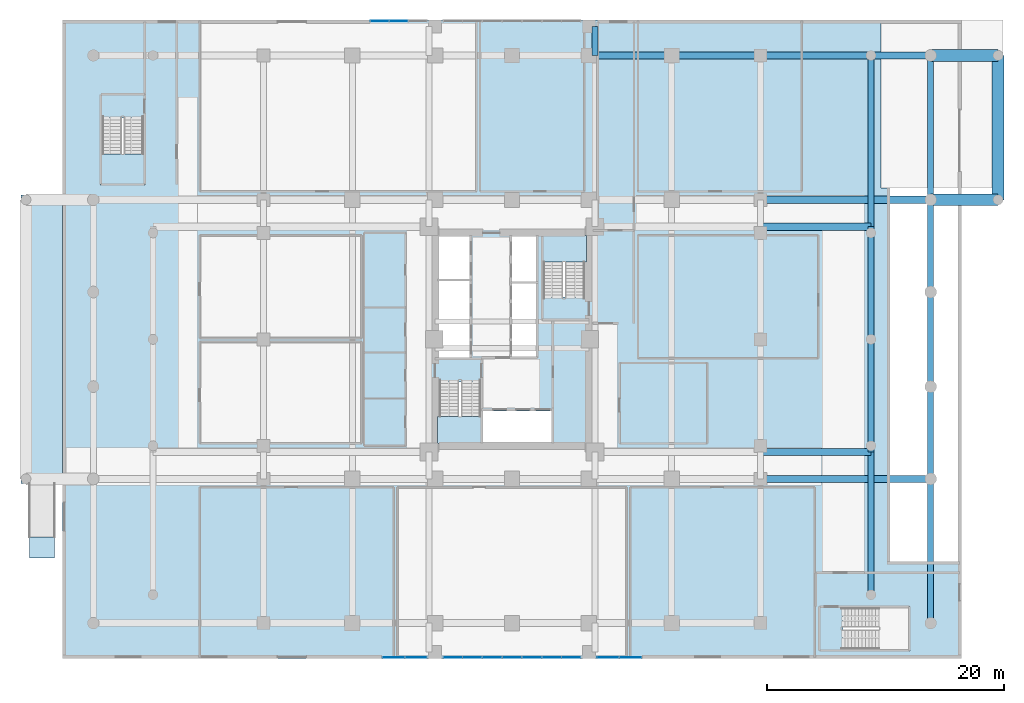
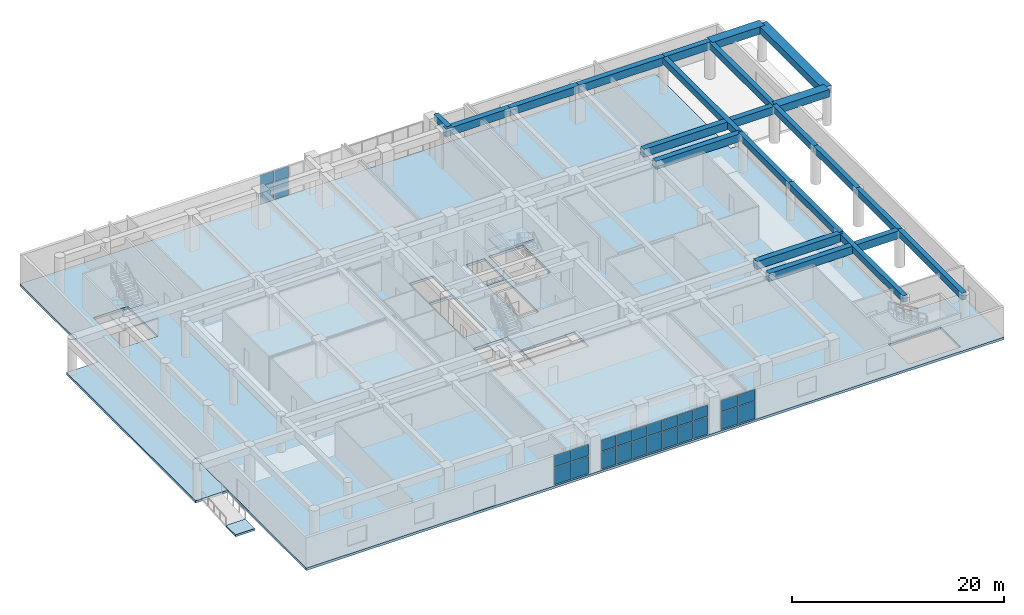
# One storey, part 11 of 24: 26 plates, 21 beams, 6 slabs, 8 elements without a shape of their own.
"""IFC4 building model written with IfcOpenShell, lengths in metres."""

from ifc_helpers import new_model, si_unit, direction, frame, origin, origin_2d, place, context, subcontext, project, spatial, polyline, rectangle, outline, extrude, source, transform, mapped, material, layer, layer_set, material_profile, profile_set, type_object, element, aggregate, save


model = new_model("IFC4")

# Units and contexts
model_context = context("Model", 3, precision=1e-05, world=origin(), true_north=direction((0.0, 1.0)))
body_context = subcontext(model_context, "Body", "Model", "MODEL_VIEW")
ifc_project = project(units=[si_unit("LENGTHUNIT", "METRE"), si_unit("AREAUNIT", "SQUARE_METRE"), si_unit("VOLUMEUNIT", "CUBIC_METRE"), si_unit("PLANEANGLEUNIT", "RADIAN"), si_unit("MASSUNIT", "GRAM", prefix="KILO")], contexts=[model_context])

# Site, building, storey
site_placement = place(None, origin())
site = spatial("IfcSite", under=ifc_project, at=site_placement, CompositionType="ELEMENT")
building_placement = place(site_placement, origin())
building = spatial("IfcBuilding", under=site, at=building_placement, Name="Saelheon Loggia Tower", CompositionType="ELEMENT")
storey_placement = place(building_placement, origin())
storey = spatial("IfcBuildingStorey", under=building, at=storey_placement, Name="L00", CompositionType="ELEMENT", Elevation=0.0)

# Beams
ifc_material_1 = material(Name="Concrete C50/60", Category="concrete")
ifc_material_profile_1 = material_profile(ifc_material_1, rectangle(XDim=0.60009765625, YDim=0.89990234375, at=origin_2d()), Name="RC-600x900")
ifc_profile_set_1 = profile_set([ifc_material_profile_1], Name="Concrete C50/60")
beam_type_1 = type_object("IfcBeamType", Name="Beam_MainGirder_RC600x900", PredefinedType="BEAM", material=ifc_profile_set_1)
shared_shape_1 = source(origin(), body_context, "Body", "SweptSolid", [
    extrude(rectangle(XDim=0.60009765625, YDim=0.89990234375, at=origin_2d()), origin(), (0.0, 0.0, 1.0), 14.39990234375),
])
for number, where, z_axis, x_axis, name in (
    (1, (59.0, 15.199951171875, 3.75), (1.0, 0.0, 0.0), (0.0, 1.0, 0.0), "BM-L00-EW-15-8"),
    (2, (59.0, 38.800048828125, 3.75), (1.0, 0.0, 0.0), (0.0, 1.0, 0.0), "BM-L00-EW-38-8"),
):
    element("IfcBeam", number, at=place(storey_placement, frame(where, z_axis=z_axis, x_axis=x_axis)), inside=storey, type_object=beam_type_1, Name=name, PredefinedType="BEAM", context=body_context, shape_type="MappedRepresentation", body=[
        mapped(shared_shape_1, transform((0.0, 0.0, 0.0), scale=1.0)),
    ])
shared_shape_2 = source(origin(), body_context, "Body", "SweptSolid", [
    extrude(rectangle(XDim=0.60009765625, YDim=0.89990234375, at=origin_2d()), origin(), (0.0, 0.0, 1.0), 7.5),
])
beam_1_placement = place(storey_placement, frame((51.5, 51.0, 3.75), z_axis=(1.0, 0.0, 0.0), x_axis=(0.0, 1.0, 0.0)))
element("IfcBeam", 3, at=beam_1_placement, inside=storey, type_object=beam_type_1, Name="BM-L00-EW-51-8", PredefinedType="BEAM", context=body_context, shape_type="MappedRepresentation", body=[
    mapped(shared_shape_2, transform((0.0, 0.0, 0.0), scale=1.0)),
])
shared_shape_3 = source(origin(), body_context, "Body", "SweptSolid", [
    extrude(rectangle(XDim=0.60009765625, YDim=0.89990234375, at=origin_2d()), origin(), (0.0, 0.0, 1.0), 7.0),
])
beam_2_placement = place(storey_placement, frame((44.5, 51.0, 3.75), z_axis=(1.0, 0.0, 0.0), x_axis=(0.0, 1.0, 0.0)))
element("IfcBeam", 4, at=beam_2_placement, inside=storey, type_object=beam_type_1, Name="BM-L00-EW-51-7", PredefinedType="BEAM", context=body_context, shape_type="MappedRepresentation", body=[
    mapped(shared_shape_3, transform((0.0, 0.0, 0.0), scale=1.0)),
])
shared_shape_4 = source(origin(), body_context, "Body", "SweptSolid", [
    extrude(rectangle(XDim=0.60009765625, YDim=0.89990234375, at=origin_2d()), origin(), (0.0, 0.0, 1.0), 5.0498046875),
])
beam_3_placement = place(storey_placement, frame((68.35009765625, 51.0, 3.75), z_axis=(1.0, 0.0, 0.0), x_axis=(0.0, 1.0, 0.0)))
element("IfcBeam", 5, at=beam_3_placement, inside=storey, type_object=beam_type_1, Name="BM-L00-EW-51-10", PredefinedType="BEAM", context=body_context, shape_type="MappedRepresentation", body=[
    mapped(shared_shape_4, transform((0.0, 0.0, 0.0), scale=1.0)),
])
shared_shape_5 = source(origin(), body_context, "Body", "SweptSolid", [
    extrude(rectangle(XDim=0.60009765625, YDim=0.89990234375, at=origin_2d()), origin(), (0.0, 0.0, 1.0), 9.35009765625),
])
for number, where, z_axis, x_axis, name in (
    (6, (59.0, 51.0, 3.75), (1.0, 0.0, 0.0), (0.0, 1.0, 0.0), "BM-L00-EW-51-9"),
    (7, (59.0, 17.47998046875, 3.75), (1.0, 0.0, 0.0), (0.0, 1.0, 0.0), "BM-L00-CT-17-E1"),
    (8, (59.0, 36.52001953125, 3.75), (1.0, 0.0, 0.0), (0.0, 1.0, 0.0), "BM-L00-CT-36-E1"),
):
    element("IfcBeam", number, at=place(storey_placement, frame(where, z_axis=z_axis, x_axis=x_axis)), inside=storey, type_object=beam_type_1, Name=name, PredefinedType="BEAM", context=body_context, shape_type="MappedRepresentation", body=[
        mapped(shared_shape_5, transform((0.0, 0.0, 0.0), scale=1.0)),
    ])
ifc_material_2 = material(Name="Concrete C45/55", Category="concrete")
ifc_material_profile_2 = material_profile(ifc_material_2, rectangle(XDim=0.5, YDim=0.75, at=origin_2d()), Name="RC-500x750")
ifc_profile_set_2 = profile_set([ifc_material_profile_2], Name="Concrete C45/55")
beam_type_2 = type_object("IfcBeamType", Name="Beam_PerimGirder_RC500x750", PredefinedType="BEAM", material=ifc_profile_set_2)
shared_shape_6 = source(origin(), body_context, "Body", "SweptSolid", [
    extrude(rectangle(XDim=0.5, YDim=0.75, at=origin_2d()), origin(), (0.0, 0.0, 1.0), 12.199951171875),
])
for number, where, z_axis, x_axis, name in (
    (9, (73.39990234375, 3.0, 3.824951171875), (0.0, 1.0, 0.0), (-1.0, 0.0, 0.0), "BM-L00-NS-73-1"),
    (10, (73.39990234375, 38.800048828125, 3.824951171875), (0.0, 1.0, 0.0), (-1.0, 0.0, 0.0), "BM-L00-NS-73-5"),
):
    element("IfcBeam", number, at=place(storey_placement, frame(where, z_axis=z_axis, x_axis=x_axis)), inside=storey, type_object=beam_type_2, Name=name, PredefinedType="BEAM", context=body_context, shape_type="MappedRepresentation", body=[
        mapped(shared_shape_6, transform((0.0, 0.0, 0.0), scale=1.0)),
    ])
shared_shape_7 = source(origin(), body_context, "Body", "SweptSolid", [
    extrude(rectangle(XDim=0.5, YDim=0.75, at=origin_2d()), origin(), (0.0, 0.0, 1.0), 7.800048828125),
])
for number, where, z_axis, x_axis, name in (
    (11, (73.39990234375, 15.199951171875, 3.824951171875), (0.0, 1.0, 0.0), (-1.0, 0.0, 0.0), "BM-L00-NS-73-2"),
    (12, (73.39990234375, 31.0, 3.824951171875), (0.0, 1.0, 0.0), (-1.0, 0.0, 0.0), "BM-L00-NS-73-4"),
):
    element("IfcBeam", number, at=place(storey_placement, frame(where, z_axis=z_axis, x_axis=x_axis)), inside=storey, type_object=beam_type_2, Name=name, PredefinedType="BEAM", context=body_context, shape_type="MappedRepresentation", body=[
        mapped(shared_shape_7, transform((0.0, 0.0, 0.0), scale=1.0)),
    ])
shared_shape_8 = source(origin(), body_context, "Body", "SweptSolid", [
    extrude(rectangle(XDim=0.5, YDim=0.75, at=origin_2d()), origin(), (0.0, 0.0, 1.0), 8.0),
])
beam_4_placement = place(storey_placement, frame((73.39990234375, 23.0, 3.824951171875), z_axis=(0.0, 1.0, 0.0), x_axis=(-1.0, 0.0, 0.0)))
element("IfcBeam", 13, at=beam_4_placement, inside=storey, type_object=beam_type_2, Name="BM-L00-NS-73-3", PredefinedType="BEAM", context=body_context, shape_type="MappedRepresentation", body=[
    mapped(shared_shape_8, transform((0.0, 0.0, 0.0), scale=1.0)),
])
ifc_material_profile_3 = material_profile(ifc_material_2, rectangle(XDim=0.5, YDim=0.75, at=origin_2d()), Name="RC-500x750")
ifc_profile_set_3 = profile_set([ifc_material_profile_3], Name="Concrete C45/55")
beam_type_3 = type_object("IfcBeamType", Name="Beam_FloorGirder_RC500x750", PredefinedType="BEAM", material=ifc_profile_set_3)
shared_shape_9 = source(origin(), body_context, "Body", "SweptSolid", [
    extrude(rectangle(XDim=0.5, YDim=0.75, at=origin_2d()), origin(), (0.0, 0.0, 1.0), 12.080078125),
])
beam_5_placement = place(storey_placement, frame((68.35009765625, 5.39990234375, 3.824951171875), z_axis=(0.0, 1.0, 0.0), x_axis=(-1.0, 0.0, 0.0)))
element("IfcBeam", 14, at=beam_5_placement, inside=storey, type_object=beam_type_3, Name="BM-L00-NS-68-1", PredefinedType="BEAM", context=body_context, shape_type="MappedRepresentation", body=[
    mapped(shared_shape_9, transform((0.0, 0.0, 0.0), scale=1.0)),
])
shared_shape_10 = source(origin(), body_context, "Body", "SweptSolid", [
    extrude(rectangle(XDim=0.5, YDim=0.75, at=origin_2d()), origin(), (0.0, 0.0, 1.0), 9.52001953125),
])
for number, where, z_axis, x_axis, name in (
    (15, (68.35009765625, 17.47998046875, 3.824951171875), (0.0, 1.0, 0.0), (-1.0, 0.0, 0.0), "BM-L00-NS-68-2"),
    (16, (68.35009765625, 27.0, 3.824951171875), (0.0, 1.0, 0.0), (-1.0, 0.0, 0.0), "BM-L00-NS-68-3"),
):
    element("IfcBeam", number, at=place(storey_placement, frame(where, z_axis=z_axis, x_axis=x_axis)), inside=storey, type_object=beam_type_3, Name=name, PredefinedType="BEAM", context=body_context, shape_type="MappedRepresentation", body=[
        mapped(shared_shape_10, transform((0.0, 0.0, 0.0), scale=1.0)),
    ])
shared_shape_11 = source(origin(), body_context, "Body", "SweptSolid", [
    extrude(rectangle(XDim=0.5, YDim=0.75, at=origin_2d()), origin(), (0.0, 0.0, 1.0), 2.449951171875),
])
beam_6_placement = place(storey_placement, frame((45.02001953125, 51.0, 3.824951171875), z_axis=(0.0, 1.0, 0.0), x_axis=(-1.0, 0.0, 0.0)))
element("IfcBeam", 17, at=beam_6_placement, inside=storey, type_object=beam_type_3, Name="BM-L00-NS-45-7", PredefinedType="BEAM", context=body_context, shape_type="MappedRepresentation", body=[
    mapped(shared_shape_11, transform((0.0, 0.0, 0.0), scale=1.0)),
])
shared_shape_12 = source(origin(), body_context, "Body", "SweptSolid", [
    extrude(rectangle(XDim=0.5, YDim=0.75, at=origin_2d()), origin(), (0.0, 0.0, 1.0), 14.47998046875),
])
beam_7_placement = place(storey_placement, frame((68.35009765625, 36.52001953125, 3.824951171875), z_axis=(0.0, 1.0, 0.0), x_axis=(-1.0, 0.0, 0.0)))
element("IfcBeam", 18, at=beam_7_placement, inside=storey, type_object=beam_type_3, Name="BM-L00-NS-68-4", PredefinedType="BEAM", context=body_context, shape_type="MappedRepresentation", body=[
    mapped(shared_shape_12, transform((0.0, 0.0, 0.0), scale=1.0)),
])
ifc_material_3 = material(Name="Precast Concrete C45/55", Category="concrete")
ifc_material_profile_4 = material_profile(ifc_material_3, rectangle(XDim=1.0, YDim=0.85009765625, at=origin_2d()), Name="RC-1000x850")
ifc_profile_set_4 = profile_set([ifc_material_profile_4], Name="Precast Concrete C45/55")
beam_type_4 = type_object("IfcBeamType", Name="Beam_PorticoGirder_RC1000x850", PredefinedType="BEAM", material=ifc_profile_set_4)
shared_shape_13 = source(origin(), body_context, "Body", "SweptSolid", [
    extrude(rectangle(XDim=1.0, YDim=0.85009765625, at=origin_2d()), origin(), (0.0, 0.0, 1.0), 5.7001953125),
])
for number, where, z_axis, x_axis, name in (
    (19, (73.39990234375, 38.800048828125, 3.77490234375), (1.0, 0.0, 0.0), (0.0, 1.0, 0.0), "BM-L00-PRTE-S"),
    (20, (73.39990234375, 51.0, 3.77490234375), (1.0, 0.0, 0.0), (0.0, 1.0, 0.0), "BM-L00-PRTE-N"),
):
    element("IfcBeam", number, at=place(storey_placement, frame(where, z_axis=z_axis, x_axis=x_axis)), inside=storey, type_object=beam_type_4, Name=name, PredefinedType="BEAM", context=body_context, shape_type="MappedRepresentation", body=[
        mapped(shared_shape_13, transform((0.0, 0.0, 0.0), scale=1.0)),
    ])
shared_shape_14 = source(origin(), body_context, "Body", "SweptSolid", [
    extrude(rectangle(XDim=1.0, YDim=0.85009765625, at=origin_2d()), origin(), (0.0, 0.0, 1.0), 12.199951171875),
])
beam_8_placement = place(storey_placement, frame((79.10009765625, 38.800048828125, 3.77490234375), z_axis=(0.0, 1.0, 0.0), x_axis=(-1.0, 0.0, 0.0)))
element("IfcBeam", 21, at=beam_8_placement, inside=storey, type_object=beam_type_4, Name="BM-L00-PRTE-E", PredefinedType="BEAM", context=body_context, shape_type="MappedRepresentation", body=[
    mapped(shared_shape_14, transform((0.0, 0.0, 0.0), scale=1.0)),
])

# Slabs
ifc_material_4 = material(Name="Concrete C40/50", Category="concrete")
ifc_layer_1 = layer(ifc_material_4, 0.280029296875)
ifc_layer_set_1 = layer_set([ifc_layer_1], Name="Concrete C40/50")
slab_type_1 = type_object("IfcSlabType", Name="Slab_Podium_280", PredefinedType="FLOOR", material=ifc_layer_set_1)
slab_1_placement = place(storey_placement, frame((0.0, 0.0, -0.280029296875)))
element("IfcSlab", 22, at=slab_1_placement, inside=storey, type_object=slab_type_1, Name="L00 Podium Ground Floor Slab", PredefinedType="FLOOR", context=body_context, shape_type="SweptSolid", body=[
    extrude(outline(polyline([(0.0, 0.0), (76.0, 0.0), (76.0, 8.199951171875), (69.949951171875, 8.199951171875), (69.949951171875, 39.800048828125), (69.199951171875, 39.800048828125), (69.199951171875, 54.0), (0.0, 54.0), (0.0, 0.0)]), holes=[polyline([(31.699951171875, 23.409912109375), (31.699951171875, 18.199951171875), (35.47998046875, 18.199951171875), (35.47998046875, 23.409912109375), (31.699951171875, 23.409912109375)]), polyline([(44.300048828125, 30.590087890625), (44.300048828125, 35.800048828125), (40.52001953125, 35.800048828125), (40.52001953125, 30.590087890625), (44.300048828125, 30.590087890625)]), polyline([(3.199951171875, 45.7099609375), (3.199951171875, 40.050048828125), (6.97998046875, 40.050048828125), (6.97998046875, 45.7099609375), (3.199951171875, 45.7099609375)]), polyline([(65.989990234375, 0.64990234375), (71.64990234375, 0.64990234375), (71.64990234375, 4.429931640625), (65.989990234375, 4.429931640625), (65.989990234375, 0.64990234375)]), polyline([(35.530029296875, 18.324951171875), (41.35009765625, 18.324951171875), (41.35009765625, 20.9599609375), (35.530029296875, 20.9599609375), (35.530029296875, 18.324951171875)]), polyline([(31.824951171875, 32.1201171875), (34.419921875, 32.1201171875), (34.419921875, 35.675048828125), (31.824951171875, 35.675048828125), (31.824951171875, 32.1201171875)]), polyline([(38.0, 31.89990234375), (40.050048828125, 31.89990234375), (40.050048828125, 35.675048828125), (38.0, 35.675048828125), (38.0, 31.89990234375)]), polyline([(31.824951171875, 25.449951171875), (34.419921875, 25.449951171875), (34.419921875, 31.919921875), (31.824951171875, 31.919921875), (31.824951171875, 25.449951171875)]), polyline([(38.0, 25.5400390625), (40.050048828125, 25.5400390625), (40.050048828125, 31.699951171875), (38.0, 31.699951171875), (38.0, 25.5400390625)])]), origin(), (0.0, 0.0, 1.0), 0.280029296875),
])
ifc_layer_2 = layer(ifc_material_4, 0.27001953125)
ifc_layer_set_2 = layer_set([ifc_layer_2], Name="Concrete C40/50")
slab_type_2 = type_object("IfcSlabType", Name="Slab_Portico_Ext_270", PredefinedType="FLOOR", material=ifc_layer_set_2)
slab_2_placement = place(storey_placement, frame((0.0, 0.0, -0.27001953125)))
element("IfcSlab", 23, at=slab_2_placement, inside=storey, type_object=slab_type_2, Name="L00 West Outpatient Drop-Off Portico Deck", PredefinedType="FLOOR", context=body_context, shape_type="SweptSolid", body=[
    extrude(outline(polyline([(-3.5, 14.800048828125), (0.0, 14.800048828125), (0.0, 39.199951171875), (-3.5, 39.199951171875), (-3.5, 14.800048828125)])), origin(), (0.0, 0.0, 1.0), 0.27001953125),
])

# Ramp, slab
ifc_layer_3 = layer(ifc_material_4, 0.219970703125)
ifc_layer_set_3 = layer_set([ifc_layer_3], Name="Concrete C40/50")
ramp_type = type_object("IfcRampType", Name="Ramp_Pedestrian_Entry", PredefinedType="STRAIGHT_RUN_RAMP", material=ifc_layer_set_3)
ramp_placement = place(storey_placement, origin())
ramp = element("IfcRamp", 24, at=ramp_placement, inside=storey, type_object=ramp_type, Name="West Clinic Barrier-Free Entrance Ramp", PredefinedType="STRAIGHT_RUN_RAMP")
ifc_layer_4 = layer(ifc_material_4, 0.219970703125)
ifc_layer_set_4 = layer_set([ifc_layer_4], Name="Concrete C40/50")
slab_type_3 = type_object("IfcSlabType", Name="Slab_RampLanding_Ext_220", PredefinedType="LANDING", material=ifc_layer_set_4)
slab_3_placement = place(storey_placement, frame((0.0, 0.0, -0.570068359375)))
slab_3 = element("IfcSlab", 25, at=slab_3_placement, type_object=slab_type_3, Name="Entrance Ramp Lower Landing", PredefinedType="LANDING", context=body_context, shape_type="SweptSolid", body=[
    extrude(outline(polyline([(-2.800048828125, 8.5), (-0.699951171875, 8.5), (-0.699951171875, 10.300048828125), (-2.800048828125, 10.300048828125), (-2.800048828125, 8.5)])), origin(), (0.0, 0.0, 1.0), 0.219970703125),
])
aggregate(ramp, [slab_3])

# Stair, slab
stair_type_1 = type_object("IfcStairType", Name="Stair_Escape_Core", PredefinedType="HALF_TURN_STAIR", material=ifc_material_4)
stair_1_placement = place(storey_placement, origin())
stair_1 = element("IfcStair", 26, at=stair_1_placement, inside=storey, type_object=stair_type_1, Name="L00 Special Escape Stair ST1", PredefinedType="HALF_TURN_STAIR")
ifc_layer_5 = layer(ifc_material_4, 0.199951171875)
ifc_layer_set_5 = layer_set([ifc_layer_5], Name="Concrete C40/50")
slab_type_4 = type_object("IfcSlabType", Name="Slab_StairLanding_ST1", PredefinedType="LANDING", material=ifc_layer_set_5)
slab_4_placement = place(storey_placement, frame((0.0, 0.0, 1.89990234375)))
slab_4 = element("IfcSlab", 27, at=slab_4_placement, type_object=slab_type_4, Name="ST1 landing 1", PredefinedType="LANDING", context=body_context, shape_type="SweptSolid", body=[
    extrude(outline(polyline([(31.7099609375, 20.469970703125), (31.7099609375, 18.2099609375), (35.469970703125, 18.2099609375), (35.469970703125, 20.469970703125), (31.7099609375, 20.469970703125)])), origin(), (0.0, 0.0, 1.0), 0.2001953125),
])
aggregate(stair_1, [slab_4])

stair_2_placement = place(storey_placement, origin())
stair_2 = element("IfcStair", 28, at=stair_2_placement, inside=storey, type_object=stair_type_1, Name="L00 Special Escape Stair ST2", PredefinedType="HALF_TURN_STAIR")
ifc_layer_6 = layer(ifc_material_4, 0.199951171875)
ifc_layer_set_6 = layer_set([ifc_layer_6], Name="Concrete C40/50")
slab_type_5 = type_object("IfcSlabType", Name="Slab_StairLanding_ST2", PredefinedType="LANDING", material=ifc_layer_set_6)
slab_5_placement = place(storey_placement, frame((0.0, 0.0, 1.89990234375)))
slab_5 = element("IfcSlab", 29, at=slab_5_placement, type_object=slab_type_5, Name="ST2 landing 1", PredefinedType="LANDING", context=body_context, shape_type="SweptSolid", body=[
    extrude(outline(polyline([(44.2900390625, 33.530029296875), (44.2900390625, 35.7900390625), (40.530029296875, 35.7900390625), (40.530029296875, 33.530029296875), (44.2900390625, 33.530029296875)])), origin(), (0.0, 0.0, 1.0), 0.2001953125),
])
aggregate(stair_2, [slab_5])

stair_type_2 = type_object("IfcStairType", Name="Stair_Escape_Podium", PredefinedType="HALF_TURN_STAIR", material=ifc_material_4)
stair_3_placement = place(storey_placement, origin())
stair_3 = element("IfcStair", 30, at=stair_3_placement, inside=storey, type_object=stair_type_2, Name="L00 Podium Escape Stair ST3", PredefinedType="HALF_TURN_STAIR")
ifc_layer_7 = layer(ifc_material_4, 0.199951171875)
ifc_layer_set_7 = layer_set([ifc_layer_7], Name="Concrete C40/50")
slab_type_6 = type_object("IfcSlabType", Name="Slab_StairLanding_ST3", PredefinedType="LANDING", material=ifc_layer_set_7)
slab_6_placement = place(storey_placement, frame((0.0, 0.0, 1.89990234375)))
slab_6 = element("IfcSlab", 31, at=slab_6_placement, type_object=slab_type_6, Name="ST3 landing 1", PredefinedType="LANDING", context=body_context, shape_type="SweptSolid", body=[
    extrude(outline(polyline([(3.2099609375, 42.659912109375), (3.2099609375, 40.06005859375), (6.969970703125, 40.06005859375), (6.969970703125, 42.659912109375), (3.2099609375, 42.659912109375)])), origin(), (0.0, 0.0, 1.0), 0.2001953125),
])
aggregate(stair_3, [slab_6])

# Curtain wall, plates
ifc_material_5 = material(Name="Aluminium 6063-T6 and Laminated Low-E Glass", Category="aluminium")
ifc_layer_8 = layer(ifc_material_5, 0.199951171875)
ifc_layer_set_8 = layer_set([ifc_layer_8], Name="Aluminium 6063-T6 and Laminated Low-E Glass")
curtain_wall_type = type_object("IfcCurtainWallType", Name="CW_PodiumEntry", PredefinedType="NOTDEFINED", material=ifc_layer_set_8)
curtain_wall_1_placement = place(storey_placement, origin())
curtain_wall_1 = element("IfcCurtainWall", 32, at=curtain_wall_1_placement, inside=storey, type_object=curtain_wall_type, Name="L00 Outpatient Main Entry Curtain Wall 1", PredefinedType="NOTDEFINED")
ifc_material_6 = material(Name="Triple Low-E Laminated Glazing", Category="glass")
ifc_layer_9 = layer(ifc_material_6, 0.035888671875)
ifc_layer_set_9 = layer_set([ifc_layer_9], Name="Triple Low-E Laminated Glazing")
plate_type = type_object("IfcPlateType", Name="CW_PodiumEntry_Panel", PredefinedType="CURTAIN_PANEL", material=ifc_layer_set_9)
shared_shape_15 = source(origin(), body_context, "Body", "SweptSolid", [
    extrude(rectangle(XDim=1.820068359375, YDim=0.035888671875, at=origin_2d()), origin(), (0.0, 0.0, 1.0), 1.9951171875),
])
plate_1_placement = place(storey_placement, frame((27.97998046875, 0.10009765625, 0.06982421875), z_axis=(0.0, 0.0, 1.0), x_axis=(1.0, 0.0, 0.0)))
plate_1 = element("IfcPlate", 33, at=plate_1_placement, type_object=plate_type, Name="CW2 panel 1.1", PredefinedType="CURTAIN_PANEL", context=body_context, shape_type="MappedRepresentation", body=[
    mapped(shared_shape_15, transform((0.0, 0.0, 0.0), scale=1.0)),
])
plate_2_placement = place(storey_placement, frame((29.8701171875, 0.10009765625, 0.06982421875), z_axis=(0.0, 0.0, 1.0), x_axis=(1.0, 0.0, 0.0)))
plate_2 = element("IfcPlate", 34, at=plate_2_placement, type_object=plate_type, Name="CW2 panel 2.1", PredefinedType="CURTAIN_PANEL", context=body_context, shape_type="MappedRepresentation", body=[
    mapped(shared_shape_15, transform((0.0, 0.0, 0.0), scale=1.0)),
])

curtain_wall_2_placement = place(storey_placement, origin())
curtain_wall_2 = element("IfcCurtainWall", 35, at=curtain_wall_2_placement, inside=storey, type_object=curtain_wall_type, Name="L00 Outpatient Main Entry Curtain Wall 3", PredefinedType="NOTDEFINED")
plate_3_placement = place(storey_placement, frame((46.1298828125, 0.10009765625, 0.06982421875), z_axis=(0.0, 0.0, 1.0), x_axis=(1.0, 0.0, 0.0)))
plate_3 = element("IfcPlate", 36, at=plate_3_placement, type_object=plate_type, Name="CW2 panel 1.1", PredefinedType="CURTAIN_PANEL", context=body_context, shape_type="MappedRepresentation", body=[
    mapped(shared_shape_15, transform((0.0, 0.0, 0.0), scale=1.0)),
])
plate_4_placement = place(storey_placement, frame((48.02001953125, 0.10009765625, 0.06982421875), z_axis=(0.0, 0.0, 1.0), x_axis=(1.0, 0.0, 0.0)))
plate_4 = element("IfcPlate", 37, at=plate_4_placement, type_object=plate_type, Name="CW2 panel 2.1", PredefinedType="CURTAIN_PANEL", context=body_context, shape_type="MappedRepresentation", body=[
    mapped(shared_shape_15, transform((0.0, 0.0, 0.0), scale=1.0)),
])

# Plate
shared_shape_16 = source(origin(), body_context, "Body", "SweptSolid", [
    extrude(rectangle(XDim=1.820068359375, YDim=0.035888671875, at=origin_2d()), origin(), (0.0, 0.0, 1.0), 1.27490234375),
])
plate_5_placement = place(storey_placement, frame((27.97998046875, 0.10009765625, 2.135009765625), z_axis=(0.0, 0.0, 1.0), x_axis=(1.0, 0.0, 0.0)))
plate_5 = element("IfcPlate", 38, at=plate_5_placement, type_object=plate_type, Name="CW2 panel 1.2", PredefinedType="CURTAIN_PANEL", context=body_context, shape_type="MappedRepresentation", body=[
    mapped(shared_shape_16, transform((0.0, 0.0, 0.0), scale=1.0)),
])

plate_6_placement = place(storey_placement, frame((29.8701171875, 0.10009765625, 2.135009765625), z_axis=(0.0, 0.0, 1.0), x_axis=(1.0, 0.0, 0.0)))
plate_6 = element("IfcPlate", 39, at=plate_6_placement, type_object=plate_type, Name="CW2 panel 2.2", PredefinedType="CURTAIN_PANEL", context=body_context, shape_type="MappedRepresentation", body=[
    mapped(shared_shape_16, transform((0.0, 0.0, 0.0), scale=1.0)),
])

aggregate(curtain_wall_1, [plate_1, plate_5, plate_2, plate_6])

plate_7_placement = place(storey_placement, frame((46.1298828125, 0.10009765625, 2.135009765625), z_axis=(0.0, 0.0, 1.0), x_axis=(1.0, 0.0, 0.0)))
plate_7 = element("IfcPlate", 40, at=plate_7_placement, type_object=plate_type, Name="CW2 panel 1.2", PredefinedType="CURTAIN_PANEL", context=body_context, shape_type="MappedRepresentation", body=[
    mapped(shared_shape_16, transform((0.0, 0.0, 0.0), scale=1.0)),
])

plate_8_placement = place(storey_placement, frame((48.02001953125, 0.10009765625, 2.135009765625), z_axis=(0.0, 0.0, 1.0), x_axis=(1.0, 0.0, 0.0)))
plate_8 = element("IfcPlate", 41, at=plate_8_placement, type_object=plate_type, Name="CW2 panel 2.2", PredefinedType="CURTAIN_PANEL", context=body_context, shape_type="MappedRepresentation", body=[
    mapped(shared_shape_16, transform((0.0, 0.0, 0.0), scale=1.0)),
])

aggregate(curtain_wall_2, [plate_3, plate_7, plate_4, plate_8])

# Curtain wall, plates
curtain_wall_3_placement = place(storey_placement, origin())
curtain_wall_3 = element("IfcCurtainWall", 42, at=curtain_wall_3_placement, inside=storey, type_object=curtain_wall_type, Name="L00 Outpatient Main Entry Curtain Wall 2", PredefinedType="NOTDEFINED")
shared_shape_17 = source(origin(), body_context, "Body", "SweptSolid", [
    extrude(rectangle(XDim=1.56640625, YDim=0.035888671875, at=origin_2d()), origin(), (0.0, 0.0, 1.0), 1.9951171875),
])
plate_9_placement = place(storey_placement, frame((33.003173828125, 0.10009765625, 0.06982421875), z_axis=(0.0, 0.0, 1.0), x_axis=(1.0, 0.0, 0.0)))
plate_9 = element("IfcPlate", 43, at=plate_9_placement, type_object=plate_type, Name="CW2 panel 1.1", PredefinedType="CURTAIN_PANEL", context=body_context, shape_type="MappedRepresentation", body=[
    mapped(shared_shape_17, transform((0.0, 0.0, 0.0), scale=1.0)),
])
plate_10_placement = place(storey_placement, frame((42.996826171875, 0.10009765625, 0.06982421875), z_axis=(0.0, 0.0, 1.0), x_axis=(1.0, 0.0, 0.0)))
plate_10 = element("IfcPlate", 44, at=plate_10_placement, type_object=plate_type, Name="CW2 panel 7.1", PredefinedType="CURTAIN_PANEL", context=body_context, shape_type="MappedRepresentation", body=[
    mapped(shared_shape_17, transform((0.0, 0.0, 0.0), scale=1.0)),
])
shared_shape_18 = source(origin(), body_context, "Body", "SweptSolid", [
    extrude(rectangle(XDim=1.56640625, YDim=0.035888671875, at=origin_2d()), origin(), (0.0, 0.0, 1.0), 1.27490234375),
])
plate_11_placement = place(storey_placement, frame((33.003173828125, 0.10009765625, 2.135009765625), z_axis=(0.0, 0.0, 1.0), x_axis=(1.0, 0.0, 0.0)))
plate_11 = element("IfcPlate", 45, at=plate_11_placement, type_object=plate_type, Name="CW2 panel 1.2", PredefinedType="CURTAIN_PANEL", context=body_context, shape_type="MappedRepresentation", body=[
    mapped(shared_shape_18, transform((0.0, 0.0, 0.0), scale=1.0)),
])
plate_12_placement = place(storey_placement, frame((42.996826171875, 0.10009765625, 2.135009765625), z_axis=(0.0, 0.0, 1.0), x_axis=(1.0, 0.0, 0.0)))
plate_12 = element("IfcPlate", 46, at=plate_12_placement, type_object=plate_type, Name="CW2 panel 7.2", PredefinedType="CURTAIN_PANEL", context=body_context, shape_type="MappedRepresentation", body=[
    mapped(shared_shape_18, transform((0.0, 0.0, 0.0), scale=1.0)),
])
shared_shape_19 = source(origin(), body_context, "Body", "SweptSolid", [
    extrude(rectangle(XDim=1.601318359375, YDim=0.035888671875, at=origin_2d()), origin(), (0.0, 0.0, 1.0), 1.9951171875),
])
plate_13_placement = place(storey_placement, frame((34.6572265625, 0.10009765625, 0.06982421875), z_axis=(0.0, 0.0, 1.0), x_axis=(1.0, 0.0, 0.0)))
plate_13 = element("IfcPlate", 47, at=plate_13_placement, type_object=plate_type, Name="CW2 panel 2.1", PredefinedType="CURTAIN_PANEL", context=body_context, shape_type="MappedRepresentation", body=[
    mapped(shared_shape_19, transform((0.0, 0.0, 0.0), scale=1.0)),
])
plate_14_placement = place(storey_placement, frame((36.32861328125, 0.10009765625, 0.06982421875), z_axis=(0.0, 0.0, 1.0), x_axis=(1.0, 0.0, 0.0)))
plate_14 = element("IfcPlate", 48, at=plate_14_placement, type_object=plate_type, Name="CW2 panel 3.1", PredefinedType="CURTAIN_PANEL", context=body_context, shape_type="MappedRepresentation", body=[
    mapped(shared_shape_19, transform((0.0, 0.0, 0.0), scale=1.0)),
])
plate_15_placement = place(storey_placement, frame((38.0, 0.10009765625, 0.06982421875), z_axis=(0.0, 0.0, 1.0), x_axis=(1.0, 0.0, 0.0)))
plate_15 = element("IfcPlate", 49, at=plate_15_placement, type_object=plate_type, Name="CW2 panel 4.1", PredefinedType="CURTAIN_PANEL", context=body_context, shape_type="MappedRepresentation", body=[
    mapped(shared_shape_19, transform((0.0, 0.0, 0.0), scale=1.0)),
])
plate_16_placement = place(storey_placement, frame((39.67138671875, 0.10009765625, 0.06982421875), z_axis=(0.0, 0.0, 1.0), x_axis=(1.0, 0.0, 0.0)))
plate_16 = element("IfcPlate", 50, at=plate_16_placement, type_object=plate_type, Name="CW2 panel 5.1", PredefinedType="CURTAIN_PANEL", context=body_context, shape_type="MappedRepresentation", body=[
    mapped(shared_shape_19, transform((0.0, 0.0, 0.0), scale=1.0)),
])
plate_17_placement = place(storey_placement, frame((41.3427734375, 0.10009765625, 0.06982421875), z_axis=(0.0, 0.0, 1.0), x_axis=(1.0, 0.0, 0.0)))
plate_17 = element("IfcPlate", 51, at=plate_17_placement, type_object=plate_type, Name="CW2 panel 6.1", PredefinedType="CURTAIN_PANEL", context=body_context, shape_type="MappedRepresentation", body=[
    mapped(shared_shape_19, transform((0.0, 0.0, 0.0), scale=1.0)),
])
shared_shape_20 = source(origin(), body_context, "Body", "SweptSolid", [
    extrude(rectangle(XDim=1.601318359375, YDim=0.035888671875, at=origin_2d()), origin(), (0.0, 0.0, 1.0), 1.27490234375),
])
plate_18_placement = place(storey_placement, frame((34.6572265625, 0.10009765625, 2.135009765625), z_axis=(0.0, 0.0, 1.0), x_axis=(1.0, 0.0, 0.0)))
plate_18 = element("IfcPlate", 52, at=plate_18_placement, type_object=plate_type, Name="CW2 panel 2.2", PredefinedType="CURTAIN_PANEL", context=body_context, shape_type="MappedRepresentation", body=[
    mapped(shared_shape_20, transform((0.0, 0.0, 0.0), scale=1.0)),
])
plate_19_placement = place(storey_placement, frame((36.32861328125, 0.10009765625, 2.135009765625), z_axis=(0.0, 0.0, 1.0), x_axis=(1.0, 0.0, 0.0)))
plate_19 = element("IfcPlate", 53, at=plate_19_placement, type_object=plate_type, Name="CW2 panel 3.2", PredefinedType="CURTAIN_PANEL", context=body_context, shape_type="MappedRepresentation", body=[
    mapped(shared_shape_20, transform((0.0, 0.0, 0.0), scale=1.0)),
])
plate_20_placement = place(storey_placement, frame((38.0, 0.10009765625, 2.135009765625), z_axis=(0.0, 0.0, 1.0), x_axis=(1.0, 0.0, 0.0)))
plate_20 = element("IfcPlate", 54, at=plate_20_placement, type_object=plate_type, Name="CW2 panel 4.2", PredefinedType="CURTAIN_PANEL", context=body_context, shape_type="MappedRepresentation", body=[
    mapped(shared_shape_20, transform((0.0, 0.0, 0.0), scale=1.0)),
])
plate_21_placement = place(storey_placement, frame((39.67138671875, 0.10009765625, 2.135009765625), z_axis=(0.0, 0.0, 1.0), x_axis=(1.0, 0.0, 0.0)))
plate_21 = element("IfcPlate", 55, at=plate_21_placement, type_object=plate_type, Name="CW2 panel 5.2", PredefinedType="CURTAIN_PANEL", context=body_context, shape_type="MappedRepresentation", body=[
    mapped(shared_shape_20, transform((0.0, 0.0, 0.0), scale=1.0)),
])
plate_22_placement = place(storey_placement, frame((41.3427734375, 0.10009765625, 2.135009765625), z_axis=(0.0, 0.0, 1.0), x_axis=(1.0, 0.0, 0.0)))
plate_22 = element("IfcPlate", 56, at=plate_22_placement, type_object=plate_type, Name="CW2 panel 6.2", PredefinedType="CURTAIN_PANEL", context=body_context, shape_type="MappedRepresentation", body=[
    mapped(shared_shape_20, transform((0.0, 0.0, 0.0), scale=1.0)),
])
aggregate(curtain_wall_3, [plate_9, plate_11, plate_13, plate_18, plate_14, plate_19, plate_15, plate_20, plate_16, plate_21, plate_17, plate_22, plate_10, plate_12])

curtain_wall_4_placement = place(storey_placement, origin())
curtain_wall_4 = element("IfcCurtainWall", 57, at=curtain_wall_4_placement, inside=storey, type_object=curtain_wall_type, Name="L00 Resident Lobby Curtain Wall 1", PredefinedType="NOTDEFINED")
shared_shape_21 = source(origin(), body_context, "Body", "SweptSolid", [
    extrude(rectangle(XDim=1.51171875, YDim=0.035888671875, at=origin_2d()), origin(), (0.0, 0.0, 1.0), 1.9951171875),
])
plate_23_placement = place(storey_placement, frame((26.825927734375, 53.89990234375, 0.06982421875), z_axis=(0.0, 0.0, 1.0), x_axis=(1.0, 0.0, 0.0)))
plate_23 = element("IfcPlate", 58, at=plate_23_placement, type_object=plate_type, Name="CW2 panel 1.1", PredefinedType="CURTAIN_PANEL", context=body_context, shape_type="MappedRepresentation", body=[
    mapped(shared_shape_21, transform((0.0, 0.0, 0.0), scale=1.0)),
])
shared_shape_22 = source(origin(), body_context, "Body", "SweptSolid", [
    extrude(rectangle(XDim=1.51171875, YDim=0.035888671875, at=origin_2d()), origin(), (0.0, 0.0, 1.0), 1.27490234375),
])
plate_24_placement = place(storey_placement, frame((26.825927734375, 53.89990234375, 2.135009765625), z_axis=(0.0, 0.0, 1.0), x_axis=(1.0, 0.0, 0.0)))
plate_24 = element("IfcPlate", 59, at=plate_24_placement, type_object=plate_type, Name="CW2 panel 1.2", PredefinedType="CURTAIN_PANEL", context=body_context, shape_type="MappedRepresentation", body=[
    mapped(shared_shape_22, transform((0.0, 0.0, 0.0), scale=1.0)),
])
shared_shape_23 = source(origin(), body_context, "Body", "SweptSolid", [
    extrude(rectangle(XDim=1.546630859375, YDim=0.035888671875, at=origin_2d()), origin(), (0.0, 0.0, 1.0), 1.9951171875),
])
plate_25_placement = place(storey_placement, frame((28.425048828125, 53.89990234375, 0.06982421875), z_axis=(0.0, 0.0, 1.0), x_axis=(1.0, 0.0, 0.0)))
plate_25 = element("IfcPlate", 60, at=plate_25_placement, type_object=plate_type, Name="CW2 panel 2.1", PredefinedType="CURTAIN_PANEL", context=body_context, shape_type="MappedRepresentation", body=[
    mapped(shared_shape_23, transform((0.0, 0.0, 0.0), scale=1.0)),
])
shared_shape_24 = source(origin(), body_context, "Body", "SweptSolid", [
    extrude(rectangle(XDim=1.546630859375, YDim=0.035888671875, at=origin_2d()), origin(), (0.0, 0.0, 1.0), 1.27490234375),
])
plate_26_placement = place(storey_placement, frame((28.425048828125, 53.89990234375, 2.135009765625), z_axis=(0.0, 0.0, 1.0), x_axis=(1.0, 0.0, 0.0)))
plate_26 = element("IfcPlate", 61, at=plate_26_placement, type_object=plate_type, Name="CW2 panel 2.2", PredefinedType="CURTAIN_PANEL", context=body_context, shape_type="MappedRepresentation", body=[
    mapped(shared_shape_24, transform((0.0, 0.0, 0.0), scale=1.0)),
])
aggregate(curtain_wall_4, [plate_23, plate_24, plate_25, plate_26])

save(model, "model.ifc")
